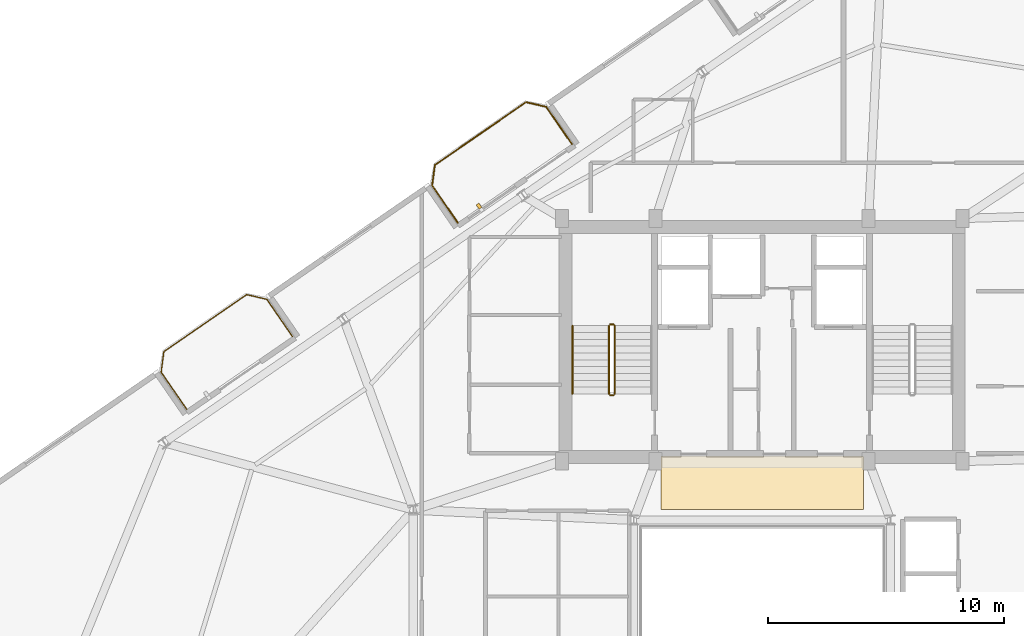
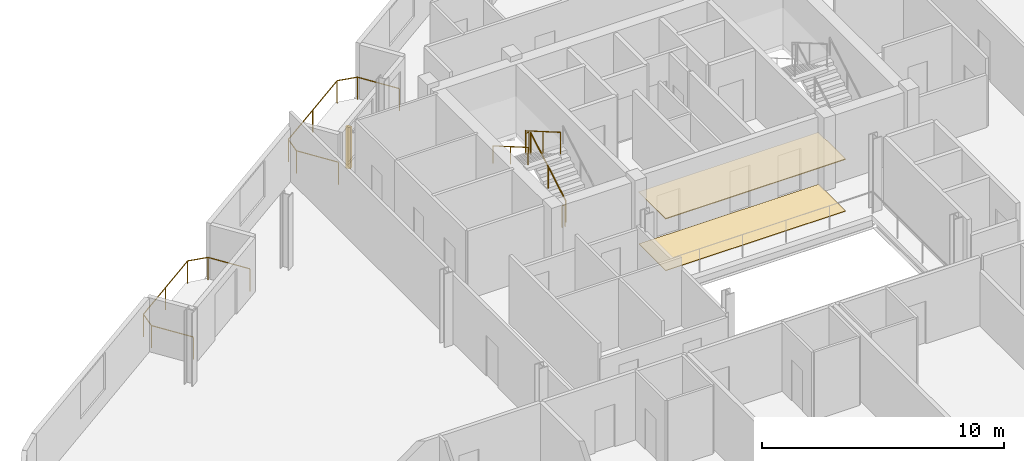
# One storey, part 21 of 22: 7 railings, 2 coverings, 1 shading device.
"""IFC4 building model written with IfcOpenShell, lengths in metres."""

from ifc_helpers import new_model, si_unit, direction, frame, origin, origin_2d, place, context, subcontext, project, spatial, rectangle, circle, extrude, source, transform, mapped, material, layer, layer_set, type_object, element, save


model = new_model("IFC4")

# Units and contexts
model_context = context("Model", 3, precision=1e-05, world=origin(), true_north=direction((0.0, 1.0)))
body_context = subcontext(model_context, "Body", "Model", "MODEL_VIEW")
ifc_project = project(units=[si_unit("LENGTHUNIT", "METRE"), si_unit("AREAUNIT", "SQUARE_METRE"), si_unit("VOLUMEUNIT", "CUBIC_METRE"), si_unit("PLANEANGLEUNIT", "RADIAN"), si_unit("MASSUNIT", "GRAM", prefix="KILO")], contexts=[model_context])

# Site, building, storey
site_placement = place(None, origin())
site = spatial("IfcSite", under=ifc_project, at=site_placement, CompositionType="ELEMENT")
building_placement = place(site_placement, origin())
building = spatial("IfcBuilding", under=site, at=building_placement, Name="Varnelok Gate Tower", CompositionType="ELEMENT")
storey_placement = place(building_placement, frame((0.0, 0.0, 284.10009765625)))
storey = spatial("IfcBuildingStorey", under=building, at=storey_placement, Name="L73", CompositionType="ELEMENT", Elevation=284.10009765625)

# Railings
ifc_material_1 = material(Name="Low-E Laminated Double Glazing IGU", Category="glass")
railing_type_1 = type_object("IfcRailingType", Name="RL-BALC-1150", PredefinedType="BALUSTRADE", material=ifc_material_1)
railing_1_placement = place(storey_placement, frame((14.781982421875, 30.944580078125, 0.0)))
element("IfcRailing", 1, at=railing_1_placement, inside=storey, type_object=railing_type_1, Name="L73 North Terrace Balustrade 4", PredefinedType="BALUSTRADE", context=body_context, shape_type="SweptSolid", body=[
    extrude(circle(Radius=0.02392578125, at=origin_2d()), frame((0.0, 0.0, 1.1259765625), z_axis=(-0.567284155424, 0.82352212296, 0.0), x_axis=(-0.82352212296, -0.567284155424, 0.0)), (0.0, 0.0, 1.0), 1.919921875),
    extrude(circle(Radius=0.02392578125, at=origin_2d()), frame((-1.089111328125, 1.5810546875, 1.1259765625), z_axis=(0.133475040405, 0.991052175008, 0.0), x_axis=(-0.991052175008, 0.133475040405, 0.0)), (0.0, 0.0, 1.0), 0.8779296875),
    extrude(circle(Radius=0.02392578125, at=origin_2d()), frame((-0.971923828125, 2.451171875, 1.1259765625), z_axis=(0.82355749358, 0.567232804735, 0.0), x_axis=(-0.567232804735, 0.82355749358, 0.0)), (0.0, 0.0, 1.0), 4.26708984375),
    extrude(circle(Radius=0.02392578125, at=origin_2d()), frame((2.542236328125, 4.87158203125, 1.1259765625), z_axis=(0.973511928193, -0.228636229993, 0.0), x_axis=(0.228636229993, 0.973511928193, 0.0)), (0.0, 0.0, 1.0), 0.877685546875),
    extrude(circle(Radius=0.02392578125, at=origin_2d()), frame((3.396728515625, 4.6708984375, 1.1259765625), z_axis=(0.567284155424, -0.82352212296, 0.0), x_axis=(0.82352212296, 0.567284155424, 0.0)), (0.0, 0.0, 1.0), 1.919921875),
    extrude(circle(Radius=0.02099609375, at=origin_2d()), origin(), (0.0, 0.0, 1.0), 1.101806640625),
    extrude(circle(Radius=0.02099609375, at=origin_2d()), frame((-1.089111328125, 1.5810546875, 0.0)), (0.0, 0.0, 1.0), 1.101806640625),
    extrude(circle(Radius=0.02099609375, at=origin_2d()), frame((-0.971923828125, 2.451171875, 0.0)), (0.0, 0.0, 1.0), 1.101806640625),
    extrude(circle(Radius=0.02099609375, at=origin_2d()), frame((0.78515625, 3.661376953125, 0.0)), (0.0, 0.0, 1.0), 1.101806640625),
    extrude(circle(Radius=0.02099609375, at=origin_2d()), frame((2.542236328125, 4.87158203125, 0.0)), (0.0, 0.0, 1.0), 1.101806640625),
    extrude(circle(Radius=0.02099609375, at=origin_2d()), frame((3.396728515625, 4.6708984375, 0.0)), (0.0, 0.0, 1.0), 1.101806640625),
    extrude(circle(Radius=0.02099609375, at=origin_2d()), frame((4.48583984375, 3.08984375, 0.0)), (0.0, 0.0, 1.0), 1.101806640625),
])
railing_2_placement = place(storey_placement, frame((26.2841796875, 38.86767578125, 0.0)))
element("IfcRailing", 2, at=railing_2_placement, inside=storey, type_object=railing_type_1, Name="L73 North Terrace Balustrade 5", PredefinedType="BALUSTRADE", context=body_context, shape_type="SweptSolid", body=[
    extrude(circle(Radius=0.02392578125, at=origin_2d()), frame((0.0, 0.0, 1.1259765625), z_axis=(-0.567197904061, 0.82358153065, 0.0), x_axis=(-0.82358153065, -0.567197904061, 0.0)), (0.0, 0.0, 1.0), 1.919677734375),
    extrude(circle(Radius=0.02392578125, at=origin_2d()), frame((-1.0888671875, 1.5810546875, 1.1259765625), z_axis=(0.133238627421, 0.991083986433, 0.0), x_axis=(-0.991083986433, 0.133238627421, 0.0)), (0.0, 0.0, 1.0), 0.877685546875),
    extrude(circle(Radius=0.02392578125, at=origin_2d()), frame((-0.971923828125, 2.450927734375, 1.1259765625), z_axis=(0.823523239622, 0.567282534371, 0.0), x_axis=(-0.567282534371, 0.823523239622, 0.0)), (0.0, 0.0, 1.0), 4.699951171875),
    extrude(circle(Radius=0.02392578125, at=origin_2d()), frame((2.898681640625, 5.1171875, 1.1259765625), z_axis=(0.973526462254, -0.228574336467, 0.0), x_axis=(0.228574336467, 0.973526462254, 0.0)), (0.0, 0.0, 1.0), 0.8779296875),
    extrude(circle(Radius=0.02392578125, at=origin_2d()), frame((3.75341796875, 4.91650390625, 1.1259765625), z_axis=(0.567284155424, -0.82352212296, 0.0), x_axis=(0.82352212296, 0.567284155424, 0.0)), (0.0, 0.0, 1.0), 1.919921875),
    extrude(circle(Radius=0.02099609375, at=origin_2d()), origin(), (0.0, 0.0, 1.0), 1.101806640625),
    extrude(circle(Radius=0.02099609375, at=origin_2d()), frame((-1.0888671875, 1.5810546875, 0.0)), (0.0, 0.0, 1.0), 1.101806640625),
    extrude(circle(Radius=0.02099609375, at=origin_2d()), frame((-0.971923828125, 2.450927734375, 0.0)), (0.0, 0.0, 1.0), 1.101806640625),
    extrude(circle(Radius=0.02099609375, at=origin_2d()), frame((0.96337890625, 3.7841796875, 0.0)), (0.0, 0.0, 1.0), 1.101806640625),
    extrude(circle(Radius=0.02099609375, at=origin_2d()), frame((2.898681640625, 5.1171875, 0.0)), (0.0, 0.0, 1.0), 1.101806640625),
    extrude(circle(Radius=0.02099609375, at=origin_2d()), frame((3.75341796875, 4.91650390625, 0.0)), (0.0, 0.0, 1.0), 1.101806640625),
    extrude(circle(Radius=0.02099609375, at=origin_2d()), frame((4.842529296875, 3.33544921875, 0.0)), (0.0, 0.0, 1.0), 1.101806640625),
])
ifc_material_2 = material(Name="Brushed Stainless Steel AISI 316", Category="steel")
railing_type_2 = type_object("IfcRailingType", Name="RL-HANDRAIL-900", PredefinedType="HANDRAIL", material=ifc_material_2)
railing_3_placement = place(storey_placement, frame((31.14990234375, 34.5, 2.01806640625)))
element("IfcRailing", 3, at=railing_3_placement, inside=storey, type_object=railing_type_2, Name="L73 ST-1 stair handrail 2", PredefinedType="HANDRAIL", context=body_context, shape_type="SweptSolid", body=[
    extrude(circle(Radius=0.02392578125, at=origin_2d()), frame((0.0, 0.0, 0.8759765625), z_axis=(0.0, -0.865038774852, 0.501705010941), x_axis=(1.0, 0.0, 0.0)), (0.0, 0.0, 1.0), 3.352294921875),
    extrude(circle(Radius=0.02099609375, at=origin_2d()), origin(), (0.0, 0.0, 1.0), 0.851806640625),
    extrude(circle(Radius=0.02099609375, at=origin_2d()), frame((0.0, -1.449951171875, 0.8408203125)), (0.0, 0.0, 1.0), 0.851806640625),
    extrude(circle(Radius=0.02099609375, at=origin_2d()), frame((0.0, -2.89990234375, 1.681884765625)), (0.0, 0.0, 1.0), 0.851806640625),
])
ifc_material_3 = material(Name="Galvanized Steel Grade S350GD", Category="steel")
railing_type_3 = type_object("IfcRailingType", Name="RL-STAIR-GUARD1120", PredefinedType="GUARDRAIL", material=ifc_material_3)
railing_4_placement = place(storey_placement, frame((32.949951171875, 31.60009765625, 0.16796875)))
element("IfcRailing", 4, at=railing_4_placement, inside=storey, type_object=railing_type_3, Name="L73 ST-1 stair guard 1", PredefinedType="GUARDRAIL", context=body_context, shape_type="SweptSolid", body=[
    extrude(circle(Radius=0.02392578125, at=origin_2d()), frame((0.0, 0.0, 1.09619140625), z_axis=(0.0, 0.865038774852, 0.501705010941), x_axis=(-1.0, 0.0, 0.0)), (0.0, 0.0, 1.0), 3.352294921875),
    extrude(circle(Radius=0.02099609375, at=origin_2d()), origin(), (0.0, 0.0, 1.0), 1.072021484375),
    extrude(circle(Radius=0.02099609375, at=origin_2d()), frame((0.0, 1.449951171875, 0.8408203125)), (0.0, 0.0, 1.0), 1.072021484375),
    extrude(circle(Radius=0.02099609375, at=origin_2d()), frame((0.0, 2.89990234375, 1.681884765625)), (0.0, 0.0, 1.0), 1.072021484375),
])
railing_5_placement = place(storey_placement, frame((32.89990234375, 34.550048828125, 1.849853515625)))
element("IfcRailing", 5, at=railing_5_placement, inside=storey, type_object=railing_type_3, Name="L73 ST-1 stair guard 2", PredefinedType="GUARDRAIL", context=body_context, shape_type="SweptSolid", body=[
    extrude(circle(Radius=0.02392578125, at=origin_2d()), frame((0.0, 0.0, 1.09619140625), z_axis=(-1.0, 0.0, 0.0), x_axis=(0.0, -1.0, 0.0)), (0.0, 0.0, 1.0), 0.14990234375),
    extrude(circle(Radius=0.02099609375, at=origin_2d()), origin(), (0.0, 0.0, 1.0), 1.072021484375),
    extrude(circle(Radius=0.02099609375, at=origin_2d()), frame((-0.14990234375, 0.0, 0.0)), (0.0, 0.0, 1.0), 1.072021484375),
])
railing_6_placement = place(storey_placement, frame((32.699951171875, 34.5, 2.01806640625)))
element("IfcRailing", 6, at=railing_6_placement, inside=storey, type_object=railing_type_3, Name="L73 ST-1 stair guard 3", PredefinedType="GUARDRAIL", context=body_context, shape_type="SweptSolid", body=[
    extrude(circle(Radius=0.02392578125, at=origin_2d()), frame((0.0, 0.0, 1.09619140625), z_axis=(0.0, -0.865038774852, 0.501705010941), x_axis=(1.0, 0.0, 0.0)), (0.0, 0.0, 1.0), 3.352294921875),
    extrude(circle(Radius=0.02099609375, at=origin_2d()), origin(), (0.0, 0.0, 1.0), 1.072021484375),
    extrude(circle(Radius=0.02099609375, at=origin_2d()), frame((0.0, -1.449951171875, 0.8408203125)), (0.0, 0.0, 1.0), 1.072021484375),
    extrude(circle(Radius=0.02099609375, at=origin_2d()), frame((0.0, -2.89990234375, 1.681884765625)), (0.0, 0.0, 1.0), 1.072021484375),
])
railing_7_placement = place(storey_placement, frame((32.89990234375, 31.550048828125, 0.0)))
element("IfcRailing", 7, at=railing_7_placement, inside=storey, type_object=railing_type_3, Name="L73 ST-1 stair guard 4", PredefinedType="GUARDRAIL", context=body_context, shape_type="SweptSolid", body=[
    extrude(circle(Radius=0.02392578125, at=origin_2d()), frame((0.0, 0.0, 1.09619140625), z_axis=(-1.0, 0.0, 0.0), x_axis=(0.0, -1.0, 0.0)), (0.0, 0.0, 1.0), 0.14990234375),
    extrude(circle(Radius=0.02099609375, at=origin_2d()), origin(), (0.0, 0.0, 1.0), 1.072021484375),
    extrude(circle(Radius=0.02099609375, at=origin_2d()), frame((-0.14990234375, 0.0, 0.0)), (0.0, 0.0, 1.0), 1.072021484375),
])

# Shading device
ifc_material_4 = material(Name="Glazed Architectural Terracotta Ceramic", Category="masonry")
shading_device_type = type_object("IfcShadingDeviceType", Name="SHD-TERRA-FIN", PredefinedType="USERDEFINED", material=ifc_material_4)
shared_shape_1 = source(origin(), body_context, "Body", "SweptSolid", [
    extrude(rectangle(XDim=0.139892578125, YDim=0.219970703125, at=origin_2d()), origin(), (0.0, 0.0, 1.0), 2.10009765625),
])
shading_device_placement = place(storey_placement, frame((27.18359375, 39.572021484375, 0.099853515625), z_axis=(0.0, 0.0, 1.0), x_axis=(0.823532597628, 0.567268949127, 0.0)))
element("IfcShadingDevice", 8, at=shading_device_placement, inside=storey, type_object=shading_device_type, Name="L73 Terracotta Ceramic Baguette Sunscreen 5.1", ObjectType="BAGUETTE", PredefinedType="USERDEFINED", context=body_context, shape_type="MappedRepresentation", body=[
    mapped(shared_shape_1, transform((0.0, 0.0, 0.0), scale=1.0)),
])

# Coverings
ifc_material_5 = material(Name="Honed Travertine Stone Flooring", Category="masonry")
ifc_layer_1 = layer(ifc_material_5, 0.02490234375)
ifc_layer_set_1 = layer_set([ifc_layer_1], Name="Honed Travertine Stone Flooring")
covering_type_1 = type_object("IfcCoveringType", Name="COV-FLOR-STONE", PredefinedType="FLOORING", material=ifc_layer_set_1)
shared_shape_2 = source(origin(), body_context, "Body", "SweptSolid", [
    extrude(rectangle(XDim=8.60009765625, YDim=2.219970703125, at=origin_2d()), origin(), (0.0, 0.0, 1.0), 0.02490234375),
])
covering_1_placement = place(storey_placement, frame((39.199951171875, 27.800048828125, 0.0), z_axis=(0.0, 0.0, 1.0), x_axis=(1.0, 0.0, 0.0)))
element("IfcCovering", 9, at=covering_1_placement, inside=storey, type_object=covering_type_1, Name="L73 Core Gallery Stone Flooring", PredefinedType="FLOORING", context=body_context, shape_type="MappedRepresentation", body=[
    mapped(shared_shape_2, transform((0.0, 0.0, 0.0), scale=1.0)),
])
ifc_material_6 = material(Name="Mineral Fiber Acoustic Ceiling Tile")
ifc_layer_2 = layer(ifc_material_6, 0.0400390625)
ifc_layer_set_2 = layer_set([ifc_layer_2], Name="Mineral Fiber Acoustic Ceiling Tile")
covering_type_2 = type_object("IfcCoveringType", Name="COV-CEIL-ACOUST", PredefinedType="CEILING", material=ifc_layer_set_2)
shared_shape_3 = source(origin(), body_context, "Body", "SweptSolid", [
    extrude(rectangle(XDim=8.60009765625, YDim=2.239990234375, at=origin_2d()), origin(), (0.0, 0.0, 1.0), 0.0400390625),
])
covering_2_placement = place(storey_placement, frame((39.199951171875, 27.820068359375, 2.599853515625), z_axis=(0.0, 0.0, 1.0), x_axis=(1.0, 0.0, 0.0)))
element("IfcCovering", 10, at=covering_2_placement, inside=storey, type_object=covering_type_2, Name="L73 Core Gallery Acoustic Ceiling", PredefinedType="CEILING", context=body_context, shape_type="MappedRepresentation", body=[
    mapped(shared_shape_3, transform((0.0, 0.0, 0.0), scale=1.0)),
])

save(model, "model.ifc")
